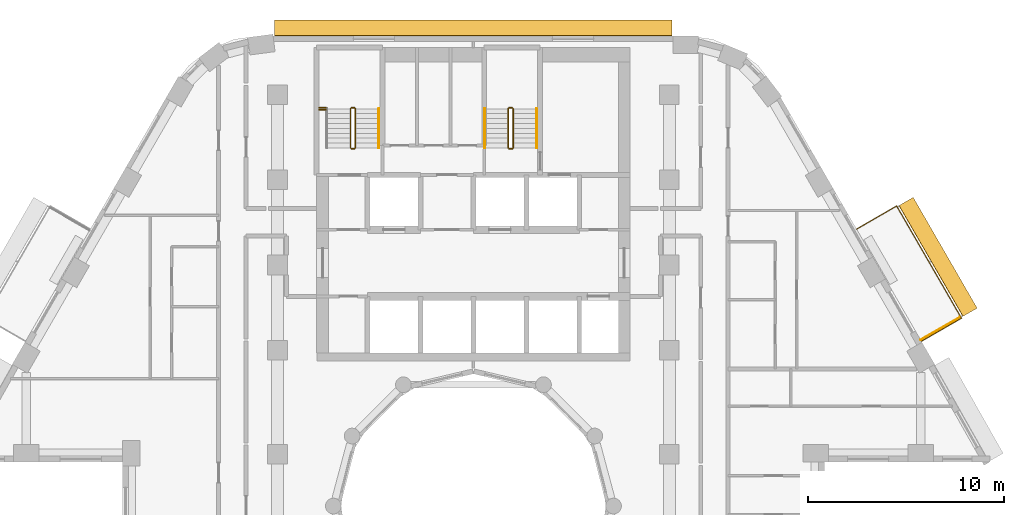
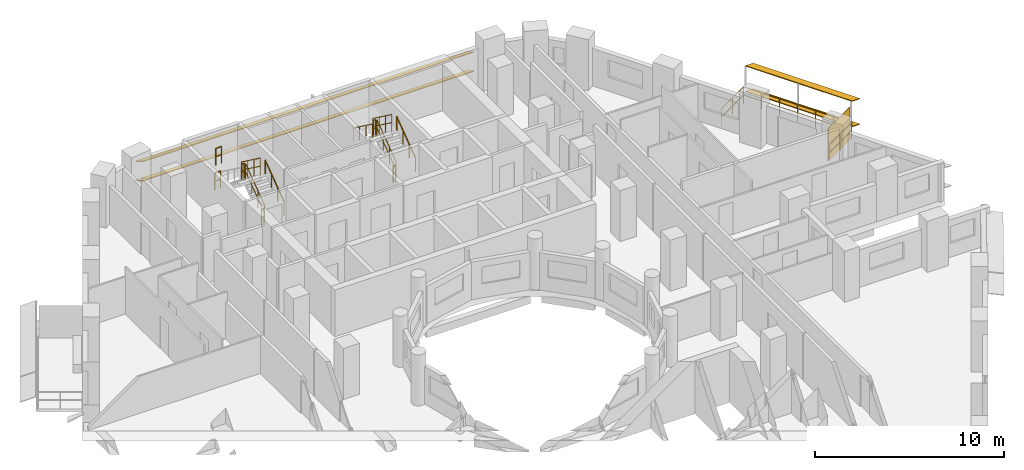
# One storey, part 14 of 14: 14 railings, 5 shading devices.
"""IFC4 building model written with IfcOpenShell, lengths in metres."""

from ifc_helpers import new_model, si_unit, direction, frame, origin, origin_2d, place, context, subcontext, project, spatial, rectangle, circle, extrude, material, layer, layer_set, material_profile, profile_set, type_object, element, save


model = new_model("IFC4")

# Units and contexts
model_context = context("Model", 3, precision=1e-05, world=origin(), true_north=direction((0.0, 1.0)))
body_context = subcontext(model_context, "Body", "Model", "MODEL_VIEW")
ifc_project = project(units=[si_unit("LENGTHUNIT", "METRE"), si_unit("AREAUNIT", "SQUARE_METRE"), si_unit("VOLUMEUNIT", "CUBIC_METRE"), si_unit("PLANEANGLEUNIT", "RADIAN"), si_unit("MASSUNIT", "GRAM", prefix="KILO")], contexts=[model_context])

# Site, building, storey
site_placement = place(None, origin())
site = spatial("IfcSite", under=ifc_project, at=site_placement, CompositionType="ELEMENT")
building_placement = place(site_placement, origin())
building = spatial("IfcBuilding", under=site, at=building_placement, Name="Nakaniwa Court", CompositionType="ELEMENT")
storey_placement = place(building_placement, frame((0.0, 0.0, 127.199951171875)))
storey = spatial("IfcBuildingStorey", under=building, at=storey_placement, Name="L32", CompositionType="ELEMENT", Elevation=127.199951171875)

# Railing
ifc_material_1 = material(Name="Black powder-coated steel flat bar balustrade S275", Category="steel")
railing_type_1 = type_object("IfcRailingType", Name="Black metal balcony guard 1100", PredefinedType="GUARDRAIL", material=ifc_material_1)
railing_1_placement = place(storey_placement, frame((102.857421875, 88.409423828125, -0.050048828125)))
element("IfcRailing", 1, at=railing_1_placement, inside=storey, type_object=railing_type_1, Name="L32 balcony guard 02", PredefinedType="GUARDRAIL", context=body_context, shape_type="SweptSolid", body=[
    extrude(circle(Radius=0.02392578125, at=origin_2d()), frame((0.0, 0.0, 1.076171875), z_axis=(0.866006432019, 0.500032858622, 0.0), x_axis=(-0.500032858622, 0.866006432019, 0.0)), (0.0, 0.0, 1.0), 2.360107421875),
    extrude(circle(Radius=0.02392578125, at=origin_2d()), frame((0.0, 0.0, 0.550048828125), z_axis=(0.866006432019, 0.500032858622, 0.0), x_axis=(-0.500032858622, 0.866006432019, 0.0)), (0.0, 0.0, 1.0), 2.360107421875),
    extrude(circle(Radius=0.02392578125, at=origin_2d()), frame((2.0439453125, 1.18017578125, 1.076171875), z_axis=(-0.500004921708, 0.866022562216, 0.0), x_axis=(-0.866022562216, -0.500004921708, 0.0)), (0.0, 0.0, 1.0), 6.60888671875),
    extrude(circle(Radius=0.02392578125, at=origin_2d()), frame((2.0439453125, 1.18017578125, 0.550048828125), z_axis=(-0.500004921708, 0.866022562216, 0.0), x_axis=(-0.866022562216, -0.500004921708, 0.0)), (0.0, 0.0, 1.0), 6.60888671875),
    extrude(circle(Radius=0.02392578125, at=origin_2d()), frame((-1.260498046875, 6.903564453125, 1.076171875), z_axis=(-0.866025363618, -0.50000006957, 0.0), x_axis=(0.50000006957, -0.866025363618, 0.0)), (0.0, 0.0, 1.0), 2.35986328125),
    extrude(circle(Radius=0.02392578125, at=origin_2d()), frame((-1.260498046875, 6.903564453125, 0.550048828125), z_axis=(-0.866025363618, -0.50000006957, 0.0), x_axis=(0.50000006957, -0.866025363618, 0.0)), (0.0, 0.0, 1.0), 2.35986328125),
    extrude(circle(Radius=0.02099609375, at=origin_2d()), origin(), (0.0, 0.0, 1.0), 1.052001953125),
    extrude(circle(Radius=0.02099609375, at=origin_2d()), frame((1.02197265625, 0.590087890625, 0.0)), (0.0, 0.0, 1.0), 1.052001953125),
    extrude(circle(Radius=0.02099609375, at=origin_2d()), frame((2.0439453125, 1.18017578125, 0.0)), (0.0, 0.0, 1.0), 1.052001953125),
    extrude(circle(Radius=0.02099609375, at=origin_2d()), frame((1.4931640625, 2.134033203125, 0.0)), (0.0, 0.0, 1.0), 1.052001953125),
    extrude(circle(Radius=0.02099609375, at=origin_2d()), frame((0.9423828125, 3.087890625, 0.0)), (0.0, 0.0, 1.0), 1.052001953125),
    extrude(circle(Radius=0.02099609375, at=origin_2d()), frame((0.3916015625, 4.0419921875, 0.0)), (0.0, 0.0, 1.0), 1.052001953125),
    extrude(circle(Radius=0.02099609375, at=origin_2d()), frame((-0.158935546875, 4.995849609375, 0.0)), (0.0, 0.0, 1.0), 1.052001953125),
    extrude(circle(Radius=0.02099609375, at=origin_2d()), frame((-0.709716796875, 5.94970703125, 0.0)), (0.0, 0.0, 1.0), 1.052001953125),
    extrude(circle(Radius=0.02099609375, at=origin_2d()), frame((-1.260498046875, 6.903564453125, 0.0)), (0.0, 0.0, 1.0), 1.052001953125),
    extrude(circle(Radius=0.02099609375, at=origin_2d()), frame((-2.2822265625, 6.3134765625, 0.0)), (0.0, 0.0, 1.0), 1.052001953125),
    extrude(circle(Radius=0.02099609375, at=origin_2d()), frame((-3.30419921875, 5.7236328125, 0.0)), (0.0, 0.0, 1.0), 1.052001953125),
])

# Shading devices
ifc_material_2 = material(Name="Black powder-coated aluminium slat screen", Category="aluminium")
ifc_layer = layer(ifc_material_2, 0.0400390625)
ifc_layer_set = layer_set([ifc_layer], Name="Black powder-coated aluminium slat screen")
shading_device_type_1 = type_object("IfcShadingDeviceType", Name="Koshi screen black metal", PredefinedType="USERDEFINED", material=ifc_layer_set)
shading_device_placement = place(storey_placement, frame((103.817626953125, 89.056396484375, -0.050048828125), z_axis=(0.0, 0.0, 1.0), x_axis=(-0.499975815814, 0.866039366081, 0.0)))
element("IfcShadingDevice", 2, at=shading_device_placement, inside=storey, type_object=shading_device_type_1, Name="L32 balcony SCREEN 02 W", ObjectType="KOSHI SCREEN", PredefinedType="USERDEFINED", context=body_context, shape_type="SweptSolid", body=[
    extrude(rectangle(XDim=0.0400390625, YDim=2.31005859375, at=origin_2d()), origin(), (0.0, 0.0, 1.0), 2.10009765625),
])
ifc_material_3 = material(Name="Perforated charcoal ceramic louvre blade")
ifc_material_profile = material_profile(ifc_material_3, rectangle(XDim=0.89990234375, YDim=0.050048828125, at=origin_2d()), Name="Perforated ceramic louvre blade")
ifc_profile_set = profile_set([ifc_material_profile], Name="Perforated charcoal ceramic louvre blade")
shading_device_type_2 = type_object("IfcShadingDeviceType", Name="Perforated ceramic louvre blade", PredefinedType="JALOUSIE", material=ifc_profile_set)
for number, where, z_axis, x_axis, name in (
    (3, (105.336181640625, 89.88671875, 0.5), (-0.499959831567, 0.866048593798, 0.0), (-0.80012456997, -0.461902655462, 0.382683432365), "L32 perforated ceramic louvre blade 02 1"),
    (4, (105.336181640625, 89.88671875, 2.150146484375), (-0.499959831567, 0.866048593798, 0.0), (-0.80012456997, -0.461902655462, 0.382683432365), "L32 perforated ceramic louvre blade 02 2"),
):
    element("IfcShadingDevice", number, at=place(storey_placement, frame(where, z_axis=z_axis, x_axis=x_axis)), inside=storey, type_object=shading_device_type_2, Name=name, PredefinedType="JALOUSIE", context=body_context, shape_type="SweptSolid", body=[
        extrude(rectangle(XDim=0.89990234375, YDim=0.050048828125, at=origin_2d()), origin(), (0.0, 0.0, 1.0), 6.52880859375),
    ])
for number, where, z_axis, x_axis, name in (
    (5, (90.128662109375, 104.402099609375, 0.550048828125), (-1.0, 0.0, 0.0), (0.0, -0.866025403784, 0.5), "L32 perforated ceramic louvre blade w08 1"),
    (6, (90.128662109375, 104.402099609375, 1.79345703125), (-1.0, 0.0, 0.0), (0.0, -0.866025403784, 0.5), "L32 perforated ceramic louvre blade w08 2"),
):
    element("IfcShadingDevice", number, at=place(storey_placement, frame(where, z_axis=z_axis, x_axis=x_axis)), inside=storey, type_object=shading_device_type_2, Name=name, PredefinedType="JALOUSIE", context=body_context, shape_type="SweptSolid", body=[
        extrude(rectangle(XDim=0.89990234375, YDim=0.050048828125, at=origin_2d()), origin(), (0.0, 0.0, 1.0), 20.291259765625),
    ])

# Railings
ifc_material_4 = material(Name="Black powder coated steel guard", Category="steel")
railing_type_2 = type_object("IfcRailingType", Name="Stair guard 1100", PredefinedType="GUARDRAIL", material=ifc_material_4)
railing_2_placement = place(storey_placement, frame((73.97509765625, 98.27490234375, 0.183349609375)))
element("IfcRailing", 7, at=railing_2_placement, inside=storey, type_object=railing_type_2, Name="L32 ST1 stair guard 1", PredefinedType="GUARDRAIL", context=body_context, shape_type="SweptSolid", body=[
    extrude(circle(Radius=0.02392578125, at=origin_2d()), frame((0.0, 0.0, 1.076171875), z_axis=(0.0, 0.806379959628, 0.591397802423), x_axis=(-1.0, 0.0, 0.0)), (0.0, 0.0, 1.0), 2.480224609375),
    extrude(circle(Radius=0.02392578125, at=origin_2d()), frame((0.0, 0.0, 0.550048828125), z_axis=(0.0, 0.806379959628, 0.591397802423), x_axis=(-1.0, 0.0, 0.0)), (0.0, 0.0, 1.0), 2.480224609375),
    extrude(circle(Radius=0.02099609375, at=origin_2d()), origin(), (0.0, 0.0, 1.0), 1.052001953125),
    extrude(circle(Radius=0.02099609375, at=origin_2d()), frame((0.0, 0.666748046875, 0.489013671875)), (0.0, 0.0, 1.0), 1.052001953125),
    extrude(circle(Radius=0.02099609375, at=origin_2d()), frame((0.0, 1.333251953125, 0.977783203125)), (0.0, 0.0, 1.0), 1.052001953125),
    extrude(circle(Radius=0.02099609375, at=origin_2d()), frame((0.0, 2.0, 1.466796875)), (0.0, 0.0, 1.0), 1.052001953125),
])
railing_3_placement = place(storey_placement, frame((73.925048828125, 100.324951171875, 1.650146484375)))
element("IfcRailing", 8, at=railing_3_placement, inside=storey, type_object=railing_type_2, Name="L32 ST1 stair guard 2", PredefinedType="GUARDRAIL", context=body_context, shape_type="SweptSolid", body=[
    extrude(circle(Radius=0.02392578125, at=origin_2d()), frame((0.0, 0.0, 1.076171875), z_axis=(-1.0, 0.0, 0.0), x_axis=(0.0, -1.0, 0.0)), (0.0, 0.0, 1.0), 0.150146484375),
    extrude(circle(Radius=0.02392578125, at=origin_2d()), frame((0.0, 0.0, 0.550048828125), z_axis=(-1.0, 0.0, 0.0), x_axis=(0.0, -1.0, 0.0)), (0.0, 0.0, 1.0), 0.150146484375),
    extrude(circle(Radius=0.02099609375, at=origin_2d()), origin(), (0.0, 0.0, 1.0), 1.052001953125),
    extrude(circle(Radius=0.02099609375, at=origin_2d()), frame((-0.150146484375, 0.0, 0.0)), (0.0, 0.0, 1.0), 1.052001953125),
])
railing_4_placement = place(storey_placement, frame((73.72509765625, 100.27490234375, 1.83349609375)))
element("IfcRailing", 9, at=railing_4_placement, inside=storey, type_object=railing_type_2, Name="L32 ST1 stair guard 3", PredefinedType="GUARDRAIL", context=body_context, shape_type="SweptSolid", body=[
    extrude(circle(Radius=0.02392578125, at=origin_2d()), frame((0.0, 0.0, 1.076171875), z_axis=(0.0, -0.806426902644, 0.591333789573), x_axis=(1.0, 0.0, 0.0)), (0.0, 0.0, 1.0), 2.47998046875),
    extrude(circle(Radius=0.02392578125, at=origin_2d()), frame((0.0, 0.0, 0.550048828125), z_axis=(0.0, -0.806426902644, 0.591333789573), x_axis=(1.0, 0.0, 0.0)), (0.0, 0.0, 1.0), 2.47998046875),
    extrude(circle(Radius=0.02099609375, at=origin_2d()), origin(), (0.0, 0.0, 1.0), 1.052001953125),
    extrude(circle(Radius=0.02099609375, at=origin_2d()), frame((0.0, -0.666748046875, 0.48876953125)), (0.0, 0.0, 1.0), 1.052001953125),
    extrude(circle(Radius=0.02099609375, at=origin_2d()), frame((0.0, -1.333251953125, 0.977783203125)), (0.0, 0.0, 1.0), 1.052001953125),
    extrude(circle(Radius=0.02099609375, at=origin_2d()), frame((0.0, -2.0, 1.466552734375)), (0.0, 0.0, 1.0), 1.052001953125),
])
railing_5_placement = place(storey_placement, frame((73.925048828125, 98.22509765625, 0.0)))
element("IfcRailing", 10, at=railing_5_placement, inside=storey, type_object=railing_type_2, Name="L32 ST1 stair guard 4", PredefinedType="GUARDRAIL", context=body_context, shape_type="SweptSolid", body=[
    extrude(circle(Radius=0.02392578125, at=origin_2d()), frame((0.0, 0.0, 1.076171875), z_axis=(-1.0, 0.0, 0.0), x_axis=(0.0, -1.0, 0.0)), (0.0, 0.0, 1.0), 0.150146484375),
    extrude(circle(Radius=0.02392578125, at=origin_2d()), frame((0.0, 0.0, 0.550048828125), z_axis=(-1.0, 0.0, 0.0), x_axis=(0.0, -1.0, 0.0)), (0.0, 0.0, 1.0), 0.150146484375),
    extrude(circle(Radius=0.02099609375, at=origin_2d()), origin(), (0.0, 0.0, 1.0), 1.052001953125),
    extrude(circle(Radius=0.02099609375, at=origin_2d()), frame((-0.150146484375, 0.0, 0.0)), (0.0, 0.0, 1.0), 1.052001953125),
])
for number, where, name in (
    (11, (72.125, 100.324951171875, 1.650146484375), "L32 ST1 landing side guard 1W"),
    (12, (72.125, 100.22509765625, 3.300048828125), "L32 ST1 floor edge guard 1W"),
):
    element("IfcRailing", number, at=place(storey_placement, frame(where)), inside=storey, type_object=railing_type_2, Name=name, PredefinedType="GUARDRAIL", context=body_context, shape_type="SweptSolid", body=[
        extrude(circle(Radius=0.02392578125, at=origin_2d()), frame((0.0, 0.0, 1.076171875), z_axis=(1.0, 0.0, 0.0), x_axis=(0.0, 1.0, 0.0)), (0.0, 0.0, 1.0), 0.35009765625),
        extrude(circle(Radius=0.02392578125, at=origin_2d()), frame((0.0, 0.0, 0.550048828125), z_axis=(1.0, 0.0, 0.0), x_axis=(0.0, 1.0, 0.0)), (0.0, 0.0, 1.0), 0.35009765625),
        extrude(circle(Radius=0.02099609375, at=origin_2d()), origin(), (0.0, 0.0, 1.0), 1.052001953125),
        extrude(circle(Radius=0.02099609375, at=origin_2d()), frame((0.35009765625, 0.0, 0.0)), (0.0, 0.0, 1.0), 1.052001953125),
    ])
railing_6_placement = place(storey_placement, frame((82.02490234375, 98.27490234375, 0.183349609375)))
element("IfcRailing", 13, at=railing_6_placement, inside=storey, type_object=railing_type_2, Name="L32 ST2 stair guard 1", PredefinedType="GUARDRAIL", context=body_context, shape_type="SweptSolid", body=[
    extrude(circle(Radius=0.02392578125, at=origin_2d()), frame((0.0, 0.0, 1.076171875), z_axis=(0.0, 0.806379959628, 0.591397802423), x_axis=(-1.0, 0.0, 0.0)), (0.0, 0.0, 1.0), 2.480224609375),
    extrude(circle(Radius=0.02392578125, at=origin_2d()), frame((0.0, 0.0, 0.550048828125), z_axis=(0.0, 0.806379959628, 0.591397802423), x_axis=(-1.0, 0.0, 0.0)), (0.0, 0.0, 1.0), 2.480224609375),
    extrude(circle(Radius=0.02099609375, at=origin_2d()), origin(), (0.0, 0.0, 1.0), 1.052001953125),
    extrude(circle(Radius=0.02099609375, at=origin_2d()), frame((0.0, 0.666748046875, 0.489013671875)), (0.0, 0.0, 1.0), 1.052001953125),
    extrude(circle(Radius=0.02099609375, at=origin_2d()), frame((0.0, 1.333251953125, 0.977783203125)), (0.0, 0.0, 1.0), 1.052001953125),
    extrude(circle(Radius=0.02099609375, at=origin_2d()), frame((0.0, 2.0, 1.466796875)), (0.0, 0.0, 1.0), 1.052001953125),
])
railing_7_placement = place(storey_placement, frame((81.97509765625, 100.324951171875, 1.650146484375)))
element("IfcRailing", 14, at=railing_7_placement, inside=storey, type_object=railing_type_2, Name="L32 ST2 stair guard 2", PredefinedType="GUARDRAIL", context=body_context, shape_type="SweptSolid", body=[
    extrude(circle(Radius=0.02392578125, at=origin_2d()), frame((0.0, 0.0, 1.076171875), z_axis=(-1.0, 0.0, 0.0), x_axis=(0.0, -1.0, 0.0)), (0.0, 0.0, 1.0), 0.150146484375),
    extrude(circle(Radius=0.02392578125, at=origin_2d()), frame((0.0, 0.0, 0.550048828125), z_axis=(-1.0, 0.0, 0.0), x_axis=(0.0, -1.0, 0.0)), (0.0, 0.0, 1.0), 0.150146484375),
    extrude(circle(Radius=0.02099609375, at=origin_2d()), origin(), (0.0, 0.0, 1.0), 1.052001953125),
    extrude(circle(Radius=0.02099609375, at=origin_2d()), frame((-0.150146484375, 0.0, 0.0)), (0.0, 0.0, 1.0), 1.052001953125),
])
railing_8_placement = place(storey_placement, frame((81.77490234375, 100.27490234375, 1.83349609375)))
element("IfcRailing", 15, at=railing_8_placement, inside=storey, type_object=railing_type_2, Name="L32 ST2 stair guard 3", PredefinedType="GUARDRAIL", context=body_context, shape_type="SweptSolid", body=[
    extrude(circle(Radius=0.02392578125, at=origin_2d()), frame((0.0, 0.0, 1.076171875), z_axis=(0.0, -0.806426902644, 0.591333789573), x_axis=(1.0, 0.0, 0.0)), (0.0, 0.0, 1.0), 2.47998046875),
    extrude(circle(Radius=0.02392578125, at=origin_2d()), frame((0.0, 0.0, 0.550048828125), z_axis=(0.0, -0.806426902644, 0.591333789573), x_axis=(1.0, 0.0, 0.0)), (0.0, 0.0, 1.0), 2.47998046875),
    extrude(circle(Radius=0.02099609375, at=origin_2d()), origin(), (0.0, 0.0, 1.0), 1.052001953125),
    extrude(circle(Radius=0.02099609375, at=origin_2d()), frame((0.0, -0.666748046875, 0.48876953125)), (0.0, 0.0, 1.0), 1.052001953125),
    extrude(circle(Radius=0.02099609375, at=origin_2d()), frame((0.0, -1.333251953125, 0.977783203125)), (0.0, 0.0, 1.0), 1.052001953125),
    extrude(circle(Radius=0.02099609375, at=origin_2d()), frame((0.0, -2.0, 1.466552734375)), (0.0, 0.0, 1.0), 1.052001953125),
])
railing_9_placement = place(storey_placement, frame((81.97509765625, 98.22509765625, 0.0)))
element("IfcRailing", 16, at=railing_9_placement, inside=storey, type_object=railing_type_2, Name="L32 ST2 stair guard 4", PredefinedType="GUARDRAIL", context=body_context, shape_type="SweptSolid", body=[
    extrude(circle(Radius=0.02392578125, at=origin_2d()), frame((0.0, 0.0, 1.076171875), z_axis=(-1.0, 0.0, 0.0), x_axis=(0.0, -1.0, 0.0)), (0.0, 0.0, 1.0), 0.150146484375),
    extrude(circle(Radius=0.02392578125, at=origin_2d()), frame((0.0, 0.0, 0.550048828125), z_axis=(-1.0, 0.0, 0.0), x_axis=(0.0, -1.0, 0.0)), (0.0, 0.0, 1.0), 0.150146484375),
    extrude(circle(Radius=0.02099609375, at=origin_2d()), origin(), (0.0, 0.0, 1.0), 1.052001953125),
    extrude(circle(Radius=0.02099609375, at=origin_2d()), frame((-0.150146484375, 0.0, 0.0)), (0.0, 0.0, 1.0), 1.052001953125),
])
ifc_material_5 = material(Name="Black powder coated steel handrail", Category="steel")
railing_type_3 = type_object("IfcRailingType", Name="Stair handrail 900", PredefinedType="HANDRAIL", material=ifc_material_5)
for number, where, name in (
    (17, (75.175048828125, 98.27490234375, 0.183349609375), "L32 ST1 stair handrail 1"),
    (18, (83.22509765625, 98.27490234375, 0.183349609375), "L32 ST2 stair handrail 1"),
):
    element("IfcRailing", number, at=place(storey_placement, frame(where)), inside=storey, type_object=railing_type_3, Name=name, PredefinedType="HANDRAIL", context=body_context, shape_type="SweptSolid", body=[
        extrude(circle(Radius=0.02392578125, at=origin_2d()), frame((0.0, 0.0, 0.8759765625), z_axis=(0.0, 0.806379959628, 0.591397802423), x_axis=(-1.0, 0.0, 0.0)), (0.0, 0.0, 1.0), 2.480224609375),
        extrude(circle(Radius=0.02099609375, at=origin_2d()), origin(), (0.0, 0.0, 1.0), 0.851806640625),
        extrude(circle(Radius=0.02099609375, at=origin_2d()), frame((0.0, 0.666748046875, 0.489013671875)), (0.0, 0.0, 1.0), 0.851806640625),
        extrude(circle(Radius=0.02099609375, at=origin_2d()), frame((0.0, 1.333251953125, 0.977783203125)), (0.0, 0.0, 1.0), 0.851806640625),
        extrude(circle(Radius=0.02099609375, at=origin_2d()), frame((0.0, 2.0, 1.466796875)), (0.0, 0.0, 1.0), 0.851806640625),
    ])
railing_10_placement = place(storey_placement, frame((80.574951171875, 100.27490234375, 1.83349609375)))
element("IfcRailing", 19, at=railing_10_placement, inside=storey, type_object=railing_type_3, Name="L32 ST2 stair handrail 2", PredefinedType="HANDRAIL", context=body_context, shape_type="SweptSolid", body=[
    extrude(circle(Radius=0.02392578125, at=origin_2d()), frame((0.0, 0.0, 0.8759765625), z_axis=(0.0, -0.806426902644, 0.591333789573), x_axis=(1.0, 0.0, 0.0)), (0.0, 0.0, 1.0), 2.47998046875),
    extrude(circle(Radius=0.02099609375, at=origin_2d()), origin(), (0.0, 0.0, 1.0), 0.851806640625),
    extrude(circle(Radius=0.02099609375, at=origin_2d()), frame((0.0, -0.666748046875, 0.48876953125)), (0.0, 0.0, 1.0), 0.851806640625),
    extrude(circle(Radius=0.02099609375, at=origin_2d()), frame((0.0, -1.333251953125, 0.977783203125)), (0.0, 0.0, 1.0), 0.851806640625),
    extrude(circle(Radius=0.02099609375, at=origin_2d()), frame((0.0, -2.0, 1.466552734375)), (0.0, 0.0, 1.0), 0.851806640625),
])

save(model, "model.ifc")
